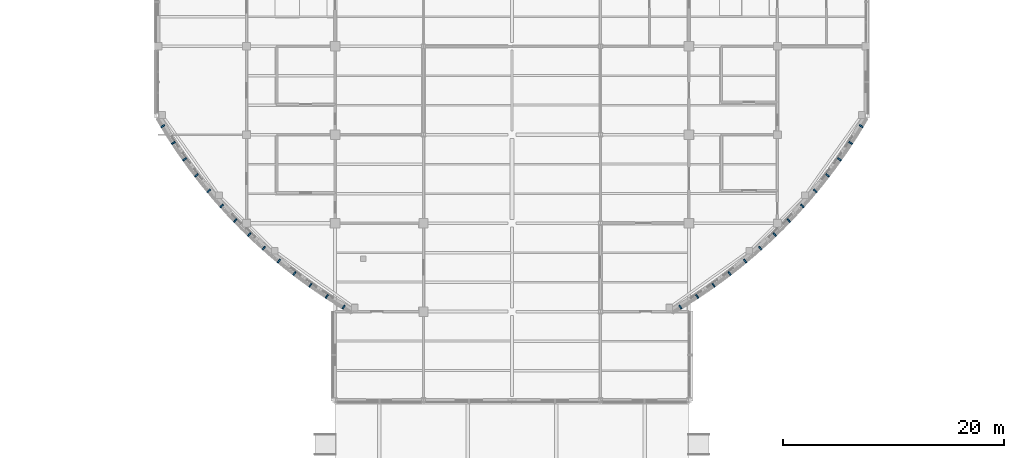
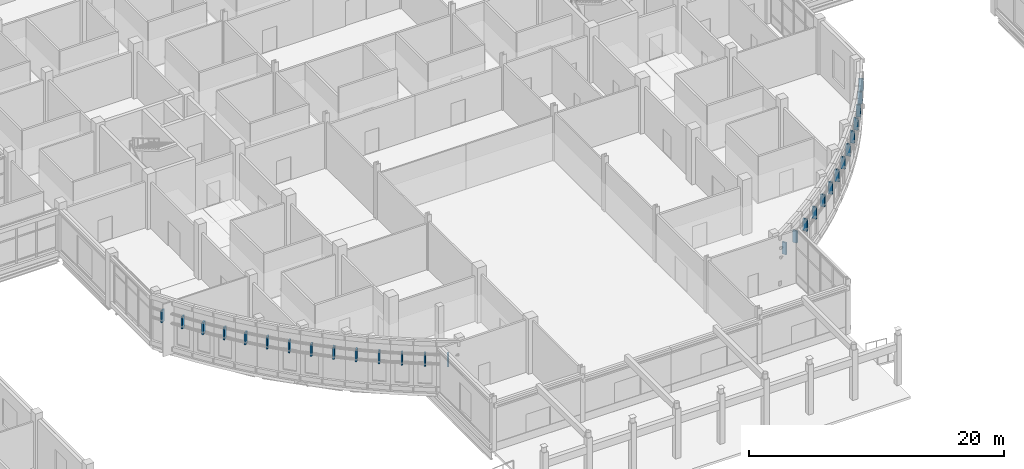
# One storey, part 84 of 105: 28 discrete accessories.
"""IFC4 building model written with IfcOpenShell, lengths in metres."""

from ifc_helpers import new_model, si_unit, derived_unit, direction, frame, origin, origin_2d, place, context, subcontext, project, spatial, rectangle, extrude, material, type_object, element, save


model = new_model("IFC4")

# Units and contexts
model_context = context("Model", 3, precision=1e-05, world=origin(), true_north=direction((0.0, 1.0)))
body_context = subcontext(model_context, "Body", "Model", "MODEL_VIEW")
ifc_project = project(units=[si_unit("LENGTHUNIT", "METRE"), si_unit("AREAUNIT", "SQUARE_METRE"), si_unit("VOLUMEUNIT", "CUBIC_METRE"), si_unit("PLANEANGLEUNIT", "RADIAN"), si_unit("MASSUNIT", "GRAM", prefix="KILO"), derived_unit("THERMALTRANSMITTANCEUNIT", [(si_unit("MASSUNIT", "GRAM", prefix="KILO"), 1), (si_unit("TIMEUNIT", "SECOND"), -3), (si_unit("THERMODYNAMICTEMPERATUREUNIT", "KELVIN"), -1)])], contexts=[model_context])

# Site, building, storey
site_placement = place(None, origin())
site = spatial("IfcSite", under=ifc_project, at=site_placement, CompositionType="ELEMENT")
building_placement = place(site_placement, origin())
building = spatial("IfcBuilding", under=site, at=building_placement, Name="Veyamyaing Civic Hall", CompositionType="ELEMENT")
storey_placement = place(building_placement, origin())
storey = spatial("IfcBuildingStorey", under=building, at=storey_placement, Name="L00", CompositionType="ELEMENT", Elevation=0.0)

# Discrete accessories
ifc_material = material(Name="Steel S355J2", Category="steel")
discrete_accessory_type = type_object("IfcDiscreteAccessoryType", Name="BK-01", PredefinedType="BRACKET", material=ifc_material)
for number, where, z_axis, x_axis, name in (
    (1, (56.42041015625, 32.774658203125, 2.72509765625), (0.0, 0.0, 1.0), (-0.856524554554, -0.516106275341, 0.0), "Ribbon support bracket BK-01 L00 SW.1"),
    (2, (57.376220703125, 31.25341796875, 2.72509765625), (0.0, 0.0, 1.0), (-0.836627765432, -0.547771833986, 0.0), "Ribbon support bracket BK-01 L00 SW.2"),
    (3, (58.388427734375, 29.768798828125, 2.72509765625), (0.0, 0.0, 1.0), (-0.815560869203, -0.578671295836, 0.0), "Ribbon support bracket BK-01 L00 SW.3"),
    (4, (59.455078125, 28.3232421875, 2.72509765625), (0.0, 0.0, 1.0), (-0.793353339122, -0.608761430532, 0.0), "Ribbon support bracket BK-01 L00 SW.4"),
    (5, (60.575439453125, 26.918701171875, 2.72509765625), (0.0, 0.0, 1.0), (-0.770036237186, -0.638000151583, 0.0), "Ribbon support bracket BK-01 L00 SW.5"),
    (6, (61.747314453125, 25.556884765625, 2.72509765625), (0.0, 0.0, 1.0), (-0.745642163228, -0.666346579804, 0.0), "Ribbon support bracket BK-01 L00 SW.6"),
    (7, (62.969482421875, 24.23974609375, 2.72509765625), (0.0, 0.0, 1.0), (-0.720205244388, -0.693761058259, 0.0), "Ribbon support bracket BK-01 L00 SW.7"),
    (8, (64.23974609375, 22.969482421875, 2.72509765625), (0.0, 0.0, 1.0), (-0.693761058259, -0.720205244388, 0.0), "Ribbon support bracket BK-01 L00 SW.8"),
    (9, (65.556884765625, 21.747314453125, 2.72509765625), (0.0, 0.0, 1.0), (-0.666346579804, -0.745642163228, 0.0), "Ribbon support bracket BK-01 L00 SW.9"),
    (10, (66.918701171875, 20.575439453125, 2.72509765625), (0.0, 0.0, 1.0), (-0.638000151583, -0.770036237186, 0.0), "Ribbon support bracket BK-01 L00 SW.10"),
    (11, (68.3232421875, 19.455078125, 2.72509765625), (0.0, 0.0, 1.0), (-0.608761430532, -0.793353339122, 0.0), "Ribbon support bracket BK-01 L00 SW.11"),
    (12, (69.768798828125, 18.388427734375, 2.72509765625), (0.0, 0.0, 1.0), (-0.578671295836, -0.815560869203, 0.0), "Ribbon support bracket BK-01 L00 SW.12"),
    (13, (71.25341796875, 17.376220703125, 2.72509765625), (0.0, 0.0, 1.0), (-0.547771833986, -0.836627765432, 0.0), "Ribbon support bracket BK-01 L00 SW.13"),
    (14, (72.774658203125, 16.42041015625, 2.72509765625), (0.0, 0.0, 1.0), (-0.516106275341, -0.856524554554, 0.0), "Ribbon support bracket BK-01 L00 SW.14"),
    (15, (103.225341796875, 16.42041015625, 2.72509765625), (0.0, 0.0, 1.0), (0.516106275341, -0.856524554554, 0.0), "Ribbon support bracket BK-01 L00 SE.1"),
    (16, (104.74658203125, 17.376220703125, 2.72509765625), (0.0, 0.0, 1.0), (0.547771833986, -0.836627765432, 0.0), "Ribbon support bracket BK-01 L00 SE.2"),
    (17, (106.231201171875, 18.388427734375, 2.72509765625), (0.0, 0.0, 1.0), (0.578671295836, -0.815560869203, 0.0), "Ribbon support bracket BK-01 L00 SE.3"),
    (18, (107.6767578125, 19.455078125, 2.72509765625), (0.0, 0.0, 1.0), (0.608761430532, -0.793353339122, 0.0), "Ribbon support bracket BK-01 L00 SE.4"),
    (19, (109.081298828125, 20.575439453125, 2.72509765625), (0.0, 0.0, 1.0), (0.638000151583, -0.770036237186, 0.0), "Ribbon support bracket BK-01 L00 SE.5"),
    (20, (110.443115234375, 21.747314453125, 2.72509765625), (0.0, 0.0, 1.0), (0.666346579804, -0.745642163228, 0.0), "Ribbon support bracket BK-01 L00 SE.6"),
    (21, (111.76025390625, 22.969482421875, 2.72509765625), (0.0, 0.0, 1.0), (0.693761058259, -0.720205244388, 0.0), "Ribbon support bracket BK-01 L00 SE.7"),
    (22, (113.030517578125, 24.23974609375, 2.72509765625), (0.0, 0.0, 1.0), (0.720205244388, -0.693761058259, 0.0), "Ribbon support bracket BK-01 L00 SE.8"),
    (23, (114.252685546875, 25.556884765625, 2.72509765625), (0.0, 0.0, 1.0), (0.745642163228, -0.666346579804, 0.0), "Ribbon support bracket BK-01 L00 SE.9"),
    (24, (115.424560546875, 26.918701171875, 2.72509765625), (0.0, 0.0, 1.0), (0.770036237186, -0.638000151583, 0.0), "Ribbon support bracket BK-01 L00 SE.10"),
    (25, (116.544921875, 28.3232421875, 2.72509765625), (0.0, 0.0, 1.0), (0.793353339122, -0.608761430532, 0.0), "Ribbon support bracket BK-01 L00 SE.11"),
    (26, (117.611572265625, 29.768798828125, 2.72509765625), (0.0, 0.0, 1.0), (0.815560869203, -0.578671295836, 0.0), "Ribbon support bracket BK-01 L00 SE.12"),
    (27, (118.623779296875, 31.25341796875, 2.72509765625), (0.0, 0.0, 1.0), (0.836627765432, -0.547771833986, 0.0), "Ribbon support bracket BK-01 L00 SE.13"),
    (28, (119.57958984375, 32.774658203125, 2.72509765625), (0.0, 0.0, 1.0), (0.856524554554, -0.516106275341, 0.0), "Ribbon support bracket BK-01 L00 SE.14"),
):
    element("IfcDiscreteAccessory", number, at=place(storey_placement, frame(where, z_axis=z_axis, x_axis=x_axis)), inside=storey, type_object=discrete_accessory_type, Name=name, PredefinedType="BRACKET", context=body_context, shape_type="SweptSolid", body=[
        extrude(rectangle(XDim=0.3798828125, YDim=0.139892578125, at=origin_2d()), origin(), (0.0, 0.0, 1.0), 1.14990234375),
    ])

save(model, "model.ifc")
